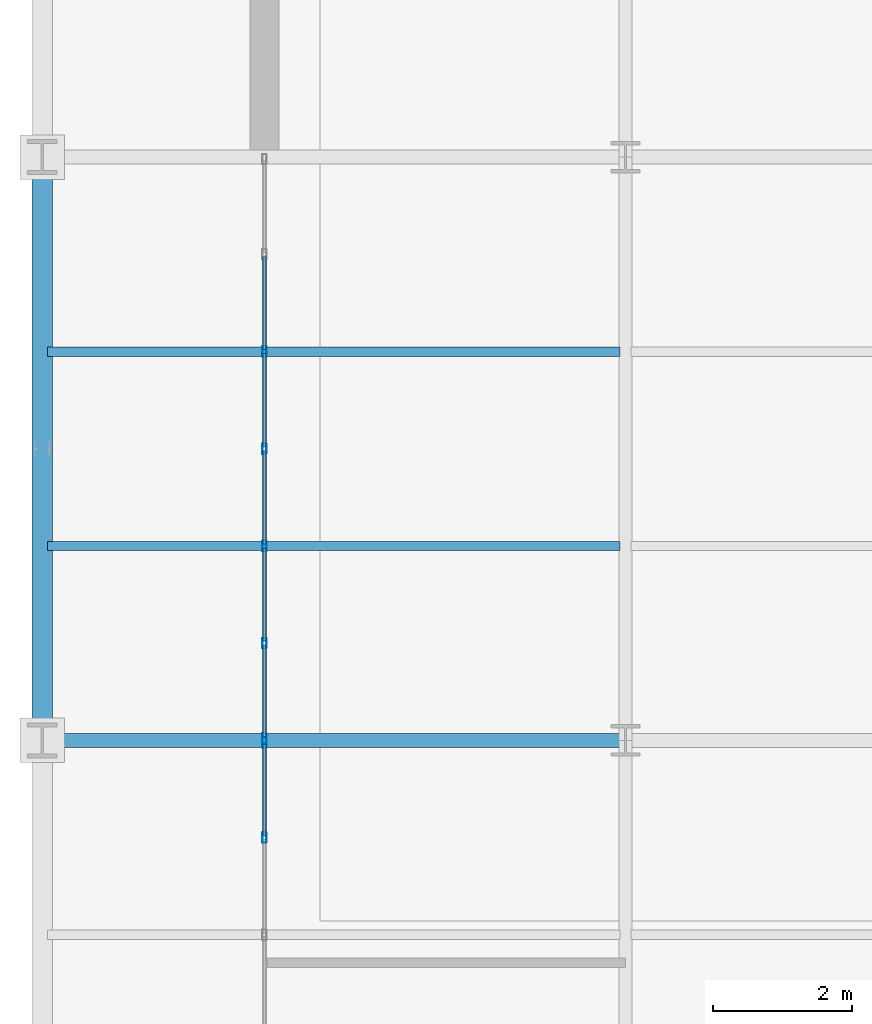
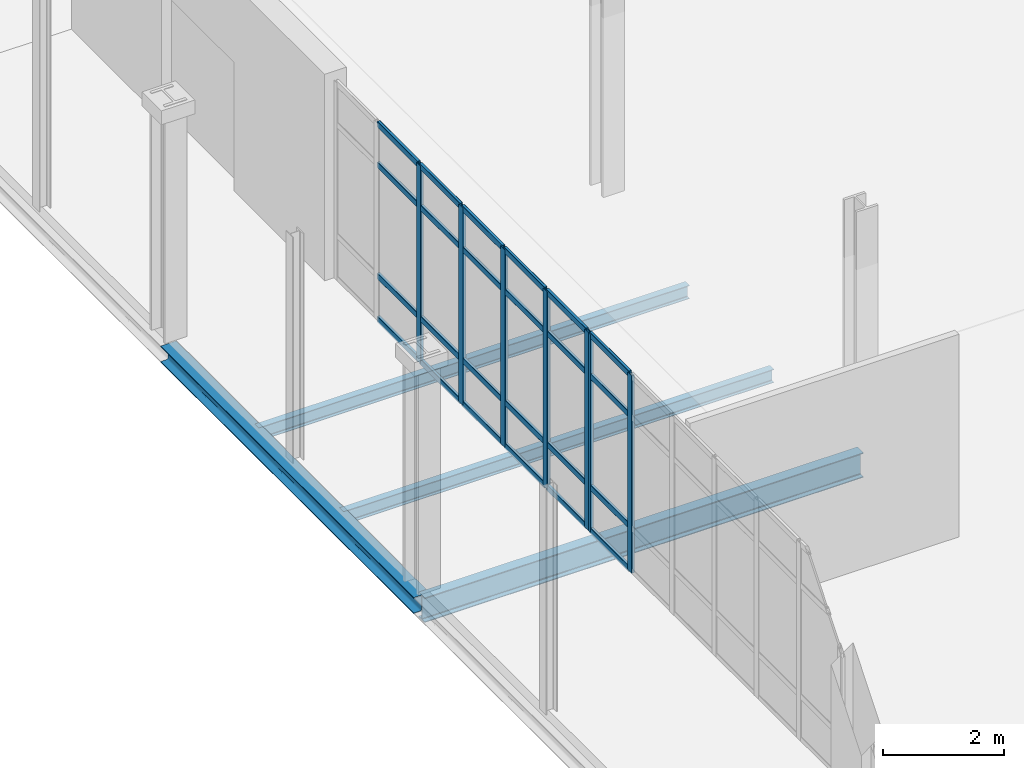
# One storey, part 27 of 145: 31 members, 4 beams, 2 elements without a shape of their own.
"""IFC4 building model written with IfcOpenShell, lengths in metres."""

from ifc_helpers import new_model, si_unit, direction, frame, origin, origin_2d, place, context, subcontext, project, spatial, hollow_rectangle, i_section, extrude, material, layer, layer_set, material_profile, profile_set, type_object, element, aggregate, save


model = new_model("IFC4")

# Units and contexts
model_context = context("Model", 3, precision=1e-05, world=origin(), true_north=direction((0.0, 1.0)))
body_context = subcontext(model_context, "Body", "Model", "MODEL_VIEW")
ifc_project = project(units=[si_unit("LENGTHUNIT", "METRE"), si_unit("AREAUNIT", "SQUARE_METRE"), si_unit("VOLUMEUNIT", "CUBIC_METRE"), si_unit("PLANEANGLEUNIT", "RADIAN"), si_unit("MASSUNIT", "GRAM", prefix="KILO")], contexts=[model_context])

# Site, building, storey
site_placement = place(None, origin())
site = spatial("IfcSite", under=ifc_project, at=site_placement, CompositionType="ELEMENT")
building_placement = place(site_placement, origin())
building = spatial("IfcBuilding", under=site, at=building_placement, Name="Qalvenar Corner Mobility Hub", CompositionType="ELEMENT")
storey_placement = place(building_placement, origin())
storey = spatial("IfcBuildingStorey", under=building, at=storey_placement, Name="L00", CompositionType="ELEMENT", Elevation=0.0)

# Beams
ifc_material_1 = material(Name="Steel S355", Category="steel")
ifc_material_profile_1 = material_profile(ifc_material_1, i_section(OverallWidth=0.199951171875, OverallDepth=0.5, WebThickness=0.01025390625, FlangeThickness=0.01611328125, FilletRadius=0.02099609375, at=origin_2d()), Name="IPE500")
ifc_profile_set_1 = profile_set([ifc_material_profile_1], Name="Steel S355")
beam_type_1 = type_object("IfcBeamType", Name="BM-IPE500", PredefinedType="BEAM", material=ifc_profile_set_1)
beam_1_placement = place(storey_placement, frame((0.0, 25.199951171875, -0.469970703125), z_axis=(1.0, 0.0, 0.0), x_axis=(0.0, 1.0, 0.0)))
element("IfcBeam", 1, at=beam_1_placement, inside=storey, type_object=beam_type_1, Name="Primary Steel Girder GX-0019", PredefinedType="BEAM", context=body_context, shape_type="SweptSolid", body=[
    extrude(i_section(OverallWidth=0.199951171875, OverallDepth=0.5, WebThickness=0.01025390625, FlangeThickness=0.01611328125, FilletRadius=0.02099609375, at=origin_2d()), origin(), (0.0, 0.0, 1.0), 8.39990234375),
])
ifc_material_profile_2 = material_profile(ifc_material_1, i_section(OverallWidth=0.135009765625, OverallDepth=0.27001953125, WebThickness=0.006591796875, FlangeThickness=0.01025390625, FilletRadius=0.014892578125, at=origin_2d()), Name="IPE270")
ifc_profile_set_2 = profile_set([ifc_material_profile_2], Name="Steel S355")
beam_type_2 = type_object("IfcBeamType", Name="BM-JST270", PredefinedType="JOIST", material=ifc_profile_set_2)
for number, where, z_axis, x_axis, name in (
    (2, (0.077880859375, 28.0, -0.35498046875), (1.0, 0.0, 0.0), (0.0, 1.0, 0.0), "Composite Floor Joist J-0079"),
    (3, (0.077880859375, 30.800048828125, -0.35498046875), (1.0, 0.0, 0.0), (0.0, 1.0, 0.0), "Composite Floor Joist J-0080"),
):
    element("IfcBeam", number, at=place(storey_placement, frame(where, z_axis=z_axis, x_axis=x_axis)), inside=storey, type_object=beam_type_2, Name=name, PredefinedType="JOIST", context=body_context, shape_type="SweptSolid", body=[
        extrude(i_section(OverallWidth=0.135009765625, OverallDepth=0.27001953125, WebThickness=0.006591796875, FlangeThickness=0.01025390625, FilletRadius=0.014892578125, at=origin_2d()), origin(), (0.0, 0.0, 1.0), 8.244140625),
    ])
ifc_material_profile_3 = material_profile(ifc_material_1, i_section(OverallWidth=0.300048828125, OverallDepth=0.330078125, WebThickness=0.009521484375, FlangeThickness=0.0166015625, FilletRadius=0.027099609375, at=origin_2d()), Name="HEA340")
ifc_profile_set_3 = profile_set([ifc_material_profile_3], Name="Steel S355")
beam_type_3 = type_object("IfcBeamType", Name="BM-SPN340", PredefinedType="SPANDREL", material=ifc_profile_set_3)
beam_2_placement = place(storey_placement, frame((0.0, 25.199951171875, -0.385009765625), z_axis=(0.0, 1.0, 0.0), x_axis=(-1.0, 0.0, 0.0)))
element("IfcBeam", 4, at=beam_2_placement, inside=storey, type_object=beam_type_3, Name="Primary Steel Girder GY-0040", PredefinedType="SPANDREL", context=body_context, shape_type="SweptSolid", body=[
    extrude(i_section(OverallWidth=0.300048828125, OverallDepth=0.330078125, WebThickness=0.009521484375, FlangeThickness=0.0166015625, FilletRadius=0.027099609375, at=origin_2d()), origin(), (0.0, 0.0, 1.0), 8.400146484375),
])

# Curtain wall, members
ifc_material_2 = material(Name="Anodised Aluminium and Low-E Glazing", Category="aluminium")
ifc_layer = layer(ifc_material_2, 0.14990234375)
ifc_layer_set = layer_set([ifc_layer], Name="Anodised Aluminium and Low-E Glazing")
curtain_wall_type = type_object("IfcCurtainWallType", Name="CW-CIV-84X40", PredefinedType="NOTDEFINED", material=ifc_layer_set)
curtain_wall_1_placement = place(storey_placement, origin())
curtain_wall_1 = element("IfcCurtainWall", 5, at=curtain_wall_1_placement, inside=storey, type_object=curtain_wall_type, Name="Glazed Curtain Wall CW-V3-L00-W003", PredefinedType="NOTDEFINED")
ifc_material_3 = material(Name="Anodised Aluminium 6063-T6", Category="aluminium")
ifc_material_profile_4 = material_profile(ifc_material_3, hollow_rectangle(XDim=0.06005859375, YDim=0.14990234375, WallThickness=0.00390625, InnerFilletRadius=0.00390625, OuterFilletRadius=0.008056640625, at=origin_2d()), Name="RHS150x60x4")
ifc_profile_set_4 = profile_set([ifc_material_profile_4], Name="Anodised Aluminium 6063-T6")
member_type_1 = type_object("IfcMemberType", Name="CW-MUL150", PredefinedType="MULLION", material=ifc_profile_set_4)
member_1_placement = place(storey_placement, frame((3.199951171875, 25.169921875, 0.0), z_axis=(0.0, 0.0, 1.0), x_axis=(1.0, 0.0, 0.0)))
member_1 = element("IfcMember", 6, at=member_1_placement, type_object=member_type_1, Name="CW-05 mullion 1", PredefinedType="MULLION", context=body_context, shape_type="SweptSolid", body=[
    extrude(hollow_rectangle(XDim=0.06005859375, YDim=0.14990234375, WallThickness=0.00390625, InnerFilletRadius=0.00390625, OuterFilletRadius=0.008056640625, at=origin_2d()), origin(), (0.0, 0.0, 1.0), 4.0),
])
member_2_placement = place(storey_placement, frame((3.199951171875, 23.800048828125, 0.0), z_axis=(0.0, 0.0, 1.0), x_axis=(1.0, 0.0, 0.0)))
member_2 = element("IfcMember", 7, at=member_2_placement, type_object=member_type_1, Name="CW-05 mullion 2", PredefinedType="MULLION", context=body_context, shape_type="SweptSolid", body=[
    extrude(hollow_rectangle(XDim=0.06005859375, YDim=0.14990234375, WallThickness=0.00390625, InnerFilletRadius=0.00390625, OuterFilletRadius=0.008056640625, at=origin_2d()), origin(), (0.0, 0.0, 1.0), 4.0),
])

curtain_wall_2_placement = place(storey_placement, origin())
curtain_wall_2 = element("IfcCurtainWall", 8, at=curtain_wall_2_placement, inside=storey, type_object=curtain_wall_type, Name="Glazed Curtain Wall CW-V3-L00-W004", PredefinedType="NOTDEFINED")
member_3_placement = place(storey_placement, frame((3.199951171875, 30.800048828125, 0.0), z_axis=(0.0, 0.0, 1.0), x_axis=(1.0, 0.0, 0.0)))
member_3 = element("IfcMember", 9, at=member_3_placement, type_object=member_type_1, Name="CW-05 mullion 3", PredefinedType="MULLION", context=body_context, shape_type="SweptSolid", body=[
    extrude(hollow_rectangle(XDim=0.06005859375, YDim=0.14990234375, WallThickness=0.00390625, InnerFilletRadius=0.00390625, OuterFilletRadius=0.008056640625, at=origin_2d()), origin(), (0.0, 0.0, 1.0), 4.0),
])
member_4_placement = place(storey_placement, frame((3.199951171875, 29.39990234375, 0.0), z_axis=(0.0, 0.0, 1.0), x_axis=(1.0, 0.0, 0.0)))
member_4 = element("IfcMember", 10, at=member_4_placement, type_object=member_type_1, Name="CW-05 mullion 4", PredefinedType="MULLION", context=body_context, shape_type="SweptSolid", body=[
    extrude(hollow_rectangle(XDim=0.06005859375, YDim=0.14990234375, WallThickness=0.00390625, InnerFilletRadius=0.00390625, OuterFilletRadius=0.008056640625, at=origin_2d()), origin(), (0.0, 0.0, 1.0), 4.0),
])
member_5_placement = place(storey_placement, frame((3.199951171875, 28.0, 0.0), z_axis=(0.0, 0.0, 1.0), x_axis=(1.0, 0.0, 0.0)))
member_5 = element("IfcMember", 11, at=member_5_placement, type_object=member_type_1, Name="CW-05 mullion 5", PredefinedType="MULLION", context=body_context, shape_type="SweptSolid", body=[
    extrude(hollow_rectangle(XDim=0.06005859375, YDim=0.14990234375, WallThickness=0.00390625, InnerFilletRadius=0.00390625, OuterFilletRadius=0.008056640625, at=origin_2d()), origin(), (0.0, 0.0, 1.0), 4.0),
])
member_6_placement = place(storey_placement, frame((3.199951171875, 26.60009765625, 0.0), z_axis=(0.0, 0.0, 1.0), x_axis=(1.0, 0.0, 0.0)))
member_6 = element("IfcMember", 12, at=member_6_placement, type_object=member_type_1, Name="CW-05 mullion 6", PredefinedType="MULLION", context=body_context, shape_type="SweptSolid", body=[
    extrude(hollow_rectangle(XDim=0.06005859375, YDim=0.14990234375, WallThickness=0.00390625, InnerFilletRadius=0.00390625, OuterFilletRadius=0.008056640625, at=origin_2d()), origin(), (0.0, 0.0, 1.0), 4.0),
])
member_7_placement = place(storey_placement, frame((3.199951171875, 25.22998046875, 0.0), z_axis=(0.0, 0.0, 1.0), x_axis=(1.0, 0.0, 0.0)))
member_7 = element("IfcMember", 13, at=member_7_placement, type_object=member_type_1, Name="CW-05 mullion 7", PredefinedType="MULLION", context=body_context, shape_type="SweptSolid", body=[
    extrude(hollow_rectangle(XDim=0.06005859375, YDim=0.14990234375, WallThickness=0.00390625, InnerFilletRadius=0.00390625, OuterFilletRadius=0.008056640625, at=origin_2d()), origin(), (0.0, 0.0, 1.0), 4.0),
])

# Member
ifc_material_profile_5 = material_profile(ifc_material_3, hollow_rectangle(XDim=0.054931640625, YDim=0.1201171875, WallThickness=0.00341796875, InnerFilletRadius=0.00341796875, OuterFilletRadius=0.007080078125, at=origin_2d()), Name="RHS120x55x3.5")
ifc_profile_set_5 = profile_set([ifc_material_profile_5], Name="Anodised Aluminium 6063-T6")
member_type_2 = type_object("IfcMemberType", Name="CW-TRN120", PredefinedType="USERDEFINED", material=ifc_profile_set_5)
member_8_placement = place(storey_placement, frame((3.199951171875, 25.139892578125, 0.027587890625), z_axis=(0.0, -1.0, 0.0), x_axis=(1.0, 0.0, 0.0)))
member_8 = element("IfcMember", 14, at=member_8_placement, type_object=member_type_2, Name="CW-05 transom 1.1", ObjectType="TRANSOM", PredefinedType="USERDEFINED", context=body_context, shape_type="SweptSolid", body=[
    extrude(hollow_rectangle(XDim=0.054931640625, YDim=0.1201171875, WallThickness=0.00341796875, InnerFilletRadius=0.00341796875, OuterFilletRadius=0.007080078125, at=origin_2d()), origin(), (0.0, 0.0, 1.0), 1.309814453125),
])

member_9_placement = place(storey_placement, frame((3.199951171875, 25.139892578125, 0.89990234375), z_axis=(0.0, -1.0, 0.0), x_axis=(1.0, 0.0, 0.0)))
member_9 = element("IfcMember", 15, at=member_9_placement, type_object=member_type_2, Name="CW-05 transom 1.2", ObjectType="TRANSOM", PredefinedType="USERDEFINED", context=body_context, shape_type="SweptSolid", body=[
    extrude(hollow_rectangle(XDim=0.054931640625, YDim=0.1201171875, WallThickness=0.00341796875, InnerFilletRadius=0.00341796875, OuterFilletRadius=0.007080078125, at=origin_2d()), origin(), (0.0, 0.0, 1.0), 1.309814453125),
])

member_10_placement = place(storey_placement, frame((3.199951171875, 25.139892578125, 3.14990234375), z_axis=(0.0, -1.0, 0.0), x_axis=(1.0, 0.0, 0.0)))
member_10 = element("IfcMember", 16, at=member_10_placement, type_object=member_type_2, Name="CW-05 transom 1.3", ObjectType="TRANSOM", PredefinedType="USERDEFINED", context=body_context, shape_type="SweptSolid", body=[
    extrude(hollow_rectangle(XDim=0.054931640625, YDim=0.1201171875, WallThickness=0.00341796875, InnerFilletRadius=0.00341796875, OuterFilletRadius=0.007080078125, at=origin_2d()), origin(), (0.0, 0.0, 1.0), 1.309814453125),
])

member_11_placement = place(storey_placement, frame((3.199951171875, 25.139892578125, 3.972412109375), z_axis=(0.0, -1.0, 0.0), x_axis=(1.0, 0.0, 0.0)))
member_11 = element("IfcMember", 17, at=member_11_placement, type_object=member_type_2, Name="CW-05 transom 1.4", ObjectType="TRANSOM", PredefinedType="USERDEFINED", context=body_context, shape_type="SweptSolid", body=[
    extrude(hollow_rectangle(XDim=0.054931640625, YDim=0.1201171875, WallThickness=0.00341796875, InnerFilletRadius=0.00341796875, OuterFilletRadius=0.007080078125, at=origin_2d()), origin(), (0.0, 0.0, 1.0), 1.309814453125),
])

aggregate(curtain_wall_1, [member_1, member_2, member_8, member_9, member_10, member_11])

member_12_placement = place(storey_placement, frame((3.199951171875, 32.169921875, 0.027587890625), z_axis=(0.0, -1.0, 0.0), x_axis=(1.0, 0.0, 0.0)))
member_12 = element("IfcMember", 18, at=member_12_placement, type_object=member_type_2, Name="CW-05 transom 2.1", ObjectType="TRANSOM", PredefinedType="USERDEFINED", context=body_context, shape_type="SweptSolid", body=[
    extrude(hollow_rectangle(XDim=0.054931640625, YDim=0.1201171875, WallThickness=0.00341796875, InnerFilletRadius=0.00341796875, OuterFilletRadius=0.007080078125, at=origin_2d()), origin(), (0.0, 0.0, 1.0), 1.33984375),
])

member_13_placement = place(storey_placement, frame((3.199951171875, 32.169921875, 0.89990234375), z_axis=(0.0, -1.0, 0.0), x_axis=(1.0, 0.0, 0.0)))
member_13 = element("IfcMember", 19, at=member_13_placement, type_object=member_type_2, Name="CW-05 transom 2.2", ObjectType="TRANSOM", PredefinedType="USERDEFINED", context=body_context, shape_type="SweptSolid", body=[
    extrude(hollow_rectangle(XDim=0.054931640625, YDim=0.1201171875, WallThickness=0.00341796875, InnerFilletRadius=0.00341796875, OuterFilletRadius=0.007080078125, at=origin_2d()), origin(), (0.0, 0.0, 1.0), 1.33984375),
])

member_14_placement = place(storey_placement, frame((3.199951171875, 32.169921875, 3.14990234375), z_axis=(0.0, -1.0, 0.0), x_axis=(1.0, 0.0, 0.0)))
member_14 = element("IfcMember", 20, at=member_14_placement, type_object=member_type_2, Name="CW-05 transom 2.3", ObjectType="TRANSOM", PredefinedType="USERDEFINED", context=body_context, shape_type="SweptSolid", body=[
    extrude(hollow_rectangle(XDim=0.054931640625, YDim=0.1201171875, WallThickness=0.00341796875, InnerFilletRadius=0.00341796875, OuterFilletRadius=0.007080078125, at=origin_2d()), origin(), (0.0, 0.0, 1.0), 1.33984375),
])

member_15_placement = place(storey_placement, frame((3.199951171875, 32.169921875, 3.972412109375), z_axis=(0.0, -1.0, 0.0), x_axis=(1.0, 0.0, 0.0)))
member_15 = element("IfcMember", 21, at=member_15_placement, type_object=member_type_2, Name="CW-05 transom 2.4", ObjectType="TRANSOM", PredefinedType="USERDEFINED", context=body_context, shape_type="SweptSolid", body=[
    extrude(hollow_rectangle(XDim=0.054931640625, YDim=0.1201171875, WallThickness=0.00341796875, InnerFilletRadius=0.00341796875, OuterFilletRadius=0.007080078125, at=origin_2d()), origin(), (0.0, 0.0, 1.0), 1.33984375),
])

member_16_placement = place(storey_placement, frame((3.199951171875, 30.77001953125, 0.027587890625), z_axis=(0.0, -1.0, 0.0), x_axis=(1.0, 0.0, 0.0)))
member_16 = element("IfcMember", 22, at=member_16_placement, type_object=member_type_2, Name="CW-05 transom 3.1", ObjectType="TRANSOM", PredefinedType="USERDEFINED", context=body_context, shape_type="SweptSolid", body=[
    extrude(hollow_rectangle(XDim=0.054931640625, YDim=0.1201171875, WallThickness=0.00341796875, InnerFilletRadius=0.00341796875, OuterFilletRadius=0.007080078125, at=origin_2d()), origin(), (0.0, 0.0, 1.0), 1.340087890625),
])

member_17_placement = place(storey_placement, frame((3.199951171875, 30.77001953125, 0.89990234375), z_axis=(0.0, -1.0, 0.0), x_axis=(1.0, 0.0, 0.0)))
member_17 = element("IfcMember", 23, at=member_17_placement, type_object=member_type_2, Name="CW-05 transom 3.2", ObjectType="TRANSOM", PredefinedType="USERDEFINED", context=body_context, shape_type="SweptSolid", body=[
    extrude(hollow_rectangle(XDim=0.054931640625, YDim=0.1201171875, WallThickness=0.00341796875, InnerFilletRadius=0.00341796875, OuterFilletRadius=0.007080078125, at=origin_2d()), origin(), (0.0, 0.0, 1.0), 1.340087890625),
])

member_18_placement = place(storey_placement, frame((3.199951171875, 30.77001953125, 3.14990234375), z_axis=(0.0, -1.0, 0.0), x_axis=(1.0, 0.0, 0.0)))
member_18 = element("IfcMember", 24, at=member_18_placement, type_object=member_type_2, Name="CW-05 transom 3.3", ObjectType="TRANSOM", PredefinedType="USERDEFINED", context=body_context, shape_type="SweptSolid", body=[
    extrude(hollow_rectangle(XDim=0.054931640625, YDim=0.1201171875, WallThickness=0.00341796875, InnerFilletRadius=0.00341796875, OuterFilletRadius=0.007080078125, at=origin_2d()), origin(), (0.0, 0.0, 1.0), 1.340087890625),
])

member_19_placement = place(storey_placement, frame((3.199951171875, 30.77001953125, 3.972412109375), z_axis=(0.0, -1.0, 0.0), x_axis=(1.0, 0.0, 0.0)))
member_19 = element("IfcMember", 25, at=member_19_placement, type_object=member_type_2, Name="CW-05 transom 3.4", ObjectType="TRANSOM", PredefinedType="USERDEFINED", context=body_context, shape_type="SweptSolid", body=[
    extrude(hollow_rectangle(XDim=0.054931640625, YDim=0.1201171875, WallThickness=0.00341796875, InnerFilletRadius=0.00341796875, OuterFilletRadius=0.007080078125, at=origin_2d()), origin(), (0.0, 0.0, 1.0), 1.340087890625),
])

member_20_placement = place(storey_placement, frame((3.199951171875, 29.3701171875, 0.027587890625), z_axis=(0.0, -1.0, 0.0), x_axis=(1.0, 0.0, 0.0)))
member_20 = element("IfcMember", 26, at=member_20_placement, type_object=member_type_2, Name="CW-05 transom 4.1", ObjectType="TRANSOM", PredefinedType="USERDEFINED", context=body_context, shape_type="SweptSolid", body=[
    extrude(hollow_rectangle(XDim=0.054931640625, YDim=0.1201171875, WallThickness=0.00341796875, InnerFilletRadius=0.00341796875, OuterFilletRadius=0.007080078125, at=origin_2d()), origin(), (0.0, 0.0, 1.0), 1.340087890625),
])

member_21_placement = place(storey_placement, frame((3.199951171875, 29.3701171875, 0.89990234375), z_axis=(0.0, -1.0, 0.0), x_axis=(1.0, 0.0, 0.0)))
member_21 = element("IfcMember", 27, at=member_21_placement, type_object=member_type_2, Name="CW-05 transom 4.2", ObjectType="TRANSOM", PredefinedType="USERDEFINED", context=body_context, shape_type="SweptSolid", body=[
    extrude(hollow_rectangle(XDim=0.054931640625, YDim=0.1201171875, WallThickness=0.00341796875, InnerFilletRadius=0.00341796875, OuterFilletRadius=0.007080078125, at=origin_2d()), origin(), (0.0, 0.0, 1.0), 1.340087890625),
])

member_22_placement = place(storey_placement, frame((3.199951171875, 29.3701171875, 3.14990234375), z_axis=(0.0, -1.0, 0.0), x_axis=(1.0, 0.0, 0.0)))
member_22 = element("IfcMember", 28, at=member_22_placement, type_object=member_type_2, Name="CW-05 transom 4.3", ObjectType="TRANSOM", PredefinedType="USERDEFINED", context=body_context, shape_type="SweptSolid", body=[
    extrude(hollow_rectangle(XDim=0.054931640625, YDim=0.1201171875, WallThickness=0.00341796875, InnerFilletRadius=0.00341796875, OuterFilletRadius=0.007080078125, at=origin_2d()), origin(), (0.0, 0.0, 1.0), 1.340087890625),
])

member_23_placement = place(storey_placement, frame((3.199951171875, 29.3701171875, 3.972412109375), z_axis=(0.0, -1.0, 0.0), x_axis=(1.0, 0.0, 0.0)))
member_23 = element("IfcMember", 29, at=member_23_placement, type_object=member_type_2, Name="CW-05 transom 4.4", ObjectType="TRANSOM", PredefinedType="USERDEFINED", context=body_context, shape_type="SweptSolid", body=[
    extrude(hollow_rectangle(XDim=0.054931640625, YDim=0.1201171875, WallThickness=0.00341796875, InnerFilletRadius=0.00341796875, OuterFilletRadius=0.007080078125, at=origin_2d()), origin(), (0.0, 0.0, 1.0), 1.340087890625),
])

member_24_placement = place(storey_placement, frame((3.199951171875, 27.969970703125, 0.027587890625), z_axis=(0.0, -1.0, 0.0), x_axis=(1.0, 0.0, 0.0)))
member_24 = element("IfcMember", 30, at=member_24_placement, type_object=member_type_2, Name="CW-05 transom 5.1", ObjectType="TRANSOM", PredefinedType="USERDEFINED", context=body_context, shape_type="SweptSolid", body=[
    extrude(hollow_rectangle(XDim=0.054931640625, YDim=0.1201171875, WallThickness=0.00341796875, InnerFilletRadius=0.00341796875, OuterFilletRadius=0.007080078125, at=origin_2d()), origin(), (0.0, 0.0, 1.0), 1.340087890625),
])

member_25_placement = place(storey_placement, frame((3.199951171875, 27.969970703125, 0.89990234375), z_axis=(0.0, -1.0, 0.0), x_axis=(1.0, 0.0, 0.0)))
member_25 = element("IfcMember", 31, at=member_25_placement, type_object=member_type_2, Name="CW-05 transom 5.2", ObjectType="TRANSOM", PredefinedType="USERDEFINED", context=body_context, shape_type="SweptSolid", body=[
    extrude(hollow_rectangle(XDim=0.054931640625, YDim=0.1201171875, WallThickness=0.00341796875, InnerFilletRadius=0.00341796875, OuterFilletRadius=0.007080078125, at=origin_2d()), origin(), (0.0, 0.0, 1.0), 1.340087890625),
])

member_26_placement = place(storey_placement, frame((3.199951171875, 27.969970703125, 3.14990234375), z_axis=(0.0, -1.0, 0.0), x_axis=(1.0, 0.0, 0.0)))
member_26 = element("IfcMember", 32, at=member_26_placement, type_object=member_type_2, Name="CW-05 transom 5.3", ObjectType="TRANSOM", PredefinedType="USERDEFINED", context=body_context, shape_type="SweptSolid", body=[
    extrude(hollow_rectangle(XDim=0.054931640625, YDim=0.1201171875, WallThickness=0.00341796875, InnerFilletRadius=0.00341796875, OuterFilletRadius=0.007080078125, at=origin_2d()), origin(), (0.0, 0.0, 1.0), 1.340087890625),
])

member_27_placement = place(storey_placement, frame((3.199951171875, 27.969970703125, 3.972412109375), z_axis=(0.0, -1.0, 0.0), x_axis=(1.0, 0.0, 0.0)))
member_27 = element("IfcMember", 33, at=member_27_placement, type_object=member_type_2, Name="CW-05 transom 5.4", ObjectType="TRANSOM", PredefinedType="USERDEFINED", context=body_context, shape_type="SweptSolid", body=[
    extrude(hollow_rectangle(XDim=0.054931640625, YDim=0.1201171875, WallThickness=0.00341796875, InnerFilletRadius=0.00341796875, OuterFilletRadius=0.007080078125, at=origin_2d()), origin(), (0.0, 0.0, 1.0), 1.340087890625),
])

member_28_placement = place(storey_placement, frame((3.199951171875, 26.570068359375, 0.027587890625), z_axis=(0.0, -1.0, 0.0), x_axis=(1.0, 0.0, 0.0)))
member_28 = element("IfcMember", 34, at=member_28_placement, type_object=member_type_2, Name="CW-05 transom 6.1", ObjectType="TRANSOM", PredefinedType="USERDEFINED", context=body_context, shape_type="SweptSolid", body=[
    extrude(hollow_rectangle(XDim=0.054931640625, YDim=0.1201171875, WallThickness=0.00341796875, InnerFilletRadius=0.00341796875, OuterFilletRadius=0.007080078125, at=origin_2d()), origin(), (0.0, 0.0, 1.0), 1.31005859375),
])

member_29_placement = place(storey_placement, frame((3.199951171875, 26.570068359375, 0.89990234375), z_axis=(0.0, -1.0, 0.0), x_axis=(1.0, 0.0, 0.0)))
member_29 = element("IfcMember", 35, at=member_29_placement, type_object=member_type_2, Name="CW-05 transom 6.2", ObjectType="TRANSOM", PredefinedType="USERDEFINED", context=body_context, shape_type="SweptSolid", body=[
    extrude(hollow_rectangle(XDim=0.054931640625, YDim=0.1201171875, WallThickness=0.00341796875, InnerFilletRadius=0.00341796875, OuterFilletRadius=0.007080078125, at=origin_2d()), origin(), (0.0, 0.0, 1.0), 1.31005859375),
])

member_30_placement = place(storey_placement, frame((3.199951171875, 26.570068359375, 3.14990234375), z_axis=(0.0, -1.0, 0.0), x_axis=(1.0, 0.0, 0.0)))
member_30 = element("IfcMember", 36, at=member_30_placement, type_object=member_type_2, Name="CW-05 transom 6.3", ObjectType="TRANSOM", PredefinedType="USERDEFINED", context=body_context, shape_type="SweptSolid", body=[
    extrude(hollow_rectangle(XDim=0.054931640625, YDim=0.1201171875, WallThickness=0.00341796875, InnerFilletRadius=0.00341796875, OuterFilletRadius=0.007080078125, at=origin_2d()), origin(), (0.0, 0.0, 1.0), 1.31005859375),
])

member_31_placement = place(storey_placement, frame((3.199951171875, 26.570068359375, 3.972412109375), z_axis=(0.0, -1.0, 0.0), x_axis=(1.0, 0.0, 0.0)))
member_31 = element("IfcMember", 37, at=member_31_placement, type_object=member_type_2, Name="CW-05 transom 6.4", ObjectType="TRANSOM", PredefinedType="USERDEFINED", context=body_context, shape_type="SweptSolid", body=[
    extrude(hollow_rectangle(XDim=0.054931640625, YDim=0.1201171875, WallThickness=0.00341796875, InnerFilletRadius=0.00341796875, OuterFilletRadius=0.007080078125, at=origin_2d()), origin(), (0.0, 0.0, 1.0), 1.31005859375),
])

aggregate(curtain_wall_2, [member_3, member_4, member_5, member_6, member_7, member_12, member_13, member_14, member_15, member_16, member_17, member_18, member_19, member_20, member_21, member_22, member_23, member_24, member_25, member_26, member_27, member_28, member_29, member_30, member_31])

save(model, "model.ifc")
